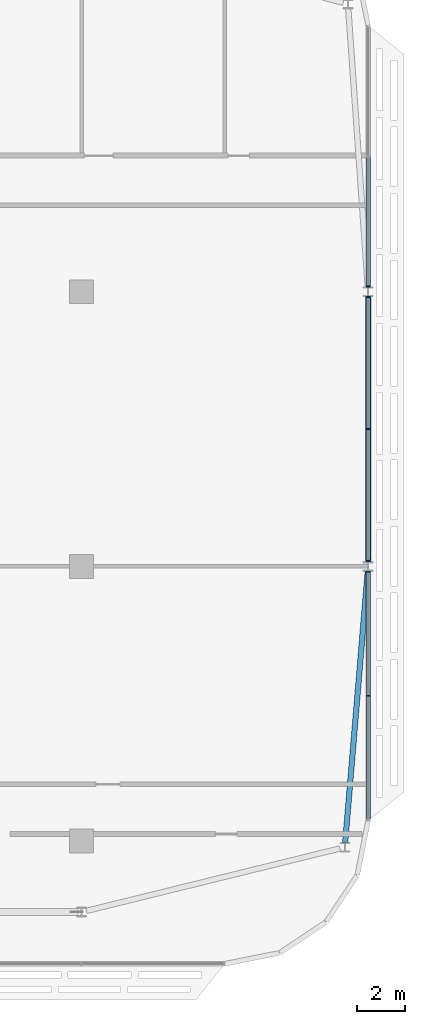
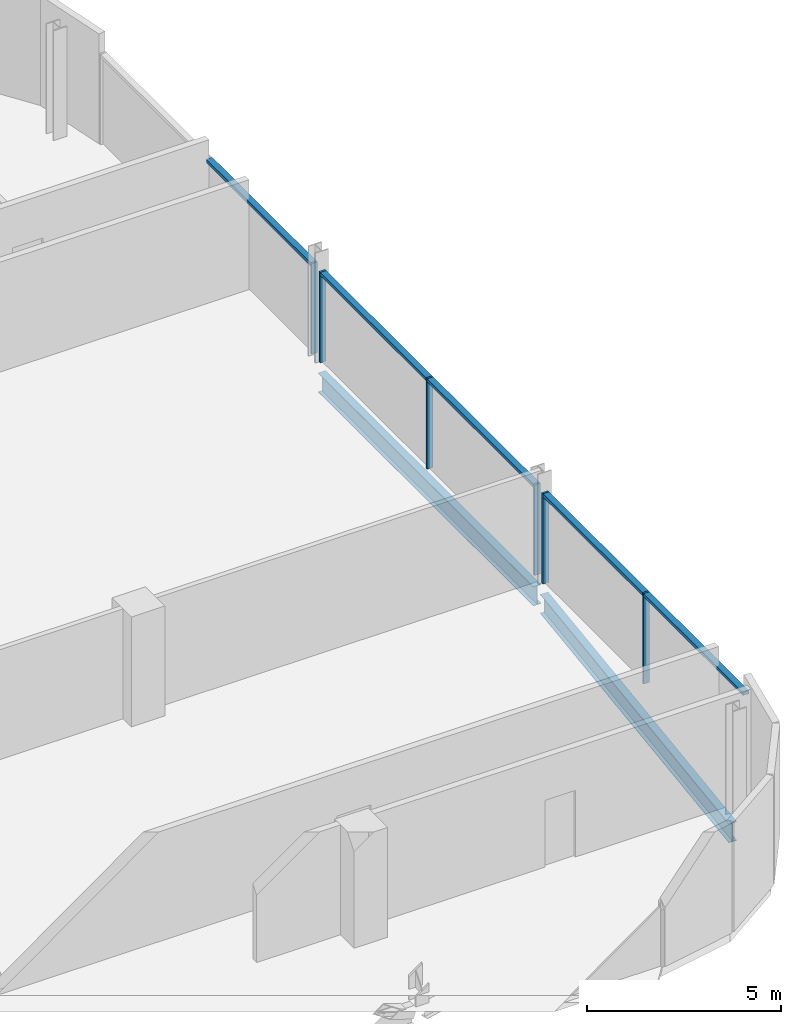
# One storey, part 13 of 32: 11 members, 2 beams, 3 elements without a shape of their own.
"""IFC4 building model written with IfcOpenShell, lengths in metres."""

import ifcopenshell
import ifcopenshell.guid

model = None  # the IFC model being written
_history = None  # IfcOwnerHistory: only IFC2X3 demands one
_inside = {}  # id of a spatial element -> (the spatial element, [elements in it])
_under = {}  # id of a project, library or spatial element -> (it, [spatial elements below it])
_declared = {}  # id of a project -> (the project, [libraries it declares])
_typed = {}  # id of a type object -> (the type object, [elements of that type])
_made_of = {}  # id of a material, layer set ... -> (it, [elements and type objects made of it])


def new_model(schema):
    """Start an empty IFC model of exactly this schema.

    Asked for "IFC4X3", IfcOpenShell would pick the latest addendum, in which some entities
    have other attributes; the version numbers below select the first issue.
    IFC2X3 requires an IfcOwnerHistory on every rooted entity: one is made here for all.
    """
    global model, _history
    if schema == "IFC4X3":
        model = ifcopenshell.file(schema_version=(4, 3, 0, 0))
    else:
        model = ifcopenshell.file(schema=schema)
    _inside.clear()
    _under.clear()
    _declared.clear()
    _typed.clear()
    _made_of.clear()
    _history = None
    if model.schema == "IFC2X3":
        org = make("IfcOrganization", Name="unknown")
        user = make(
            "IfcPersonAndOrganization",
            ThePerson=make("IfcPerson", FamilyName="unknown"),
            TheOrganization=org,
        )
        app = make(
            "IfcApplication",
            ApplicationDeveloper=org,
            Version="unknown",
            ApplicationFullName="unknown",
            ApplicationIdentifier="unknown",
        )
        _history = make(
            "IfcOwnerHistory",
            OwningUser=user,
            OwningApplication=app,
            ChangeAction="ADDED",
            CreationDate=0,
        )
    return model


def make(cls, **values):
    """One entity of the class cls with the attributes given. An attribute that is None is left unset."""
    return model.create_entity(
        cls, **{name: value for name, value in values.items() if value is not None}
    )


def rooted(cls, **values):
    """An entity with a GlobalId (a new one), such as an element, a storey or a relation."""
    return make(cls, GlobalId=ifcopenshell.guid.new(), OwnerHistory=_history, **values)


def si_unit(unit_type, name, prefix=None):
    """IfcSIUnit, for example si_unit("LENGTHUNIT", "METRE", prefix="MILLI")."""
    return make("IfcSIUnit", UnitType=unit_type, Prefix=prefix, Name=name)


def assignment(units):
    """IfcUnitAssignment: the units of a project."""
    return None if units is None else make("IfcUnitAssignment", Units=units)


def point(xyz):
    """IfcCartesianPoint."""
    return None if xyz is None else make("IfcCartesianPoint", Coordinates=xyz)


def direction(xyz):
    """IfcDirection."""
    return None if xyz is None else make("IfcDirection", DirectionRatios=xyz)


def frame(location, z_axis=None, x_axis=None):
    """IfcAxis2Placement3D, a coordinate frame: its origin and axes. An axis left out is left unset."""
    return make(
        "IfcAxis2Placement3D",
        Location=point(location),
        Axis=direction(z_axis),
        RefDirection=direction(x_axis),
    )


def frame_2d(location, x_axis=None):
    """IfcAxis2Placement2D, a coordinate frame in the plane: its origin and x axis."""
    return make(
        "IfcAxis2Placement2D", Location=point(location), RefDirection=direction(x_axis)
    )


def origin():
    """The frame at (0, 0, 0) with its axes left unset."""
    return frame((0.0, 0.0, 0.0))


def origin_2d():
    """The frame at (0, 0) in the plane with its x axis left unset."""
    return frame_2d((0.0, 0.0))


def place(relative_to, where):
    """IfcLocalPlacement: puts the frame where relative to a parent placement (None: the world)."""
    return make(
        "IfcLocalPlacement", PlacementRelTo=relative_to, RelativePlacement=where
    )


def context(
    kind, dimensions, precision=None, world=None, true_north=None, identifier=None
):
    """IfcGeometricRepresentationContext, for example the 3D "Model" context."""
    return make(
        "IfcGeometricRepresentationContext",
        ContextIdentifier=identifier,
        ContextType=kind,
        CoordinateSpaceDimension=dimensions,
        Precision=precision,
        WorldCoordinateSystem=world,
        TrueNorth=true_north,
    )


def subcontext(parent, identifier, kind, view, scale=None):
    """IfcGeometricRepresentationSubContext, for example "Body" below "Model"."""
    return make(
        "IfcGeometricRepresentationSubContext",
        ContextIdentifier=identifier,
        ContextType=kind,
        ParentContext=parent,
        TargetScale=scale,
        TargetView=view,
    )


def project(units=None, contexts=None):
    """IfcProject with its units and contexts."""
    return rooted(
        "IfcProject",
        Name="project",
        RepresentationContexts=contexts,
        UnitsInContext=assignment(units),
    )


def spatial(cls, under=None, at=None, **own):
    """A site, building, storey or space (cls), placed at a placement, below another one or the project."""
    s = rooted(cls, ObjectPlacement=at, **own)
    if under is not None:
        _under.setdefault(under.id(), (under, []))[1].append(s)
    return s


def profile(cls, at=None, kind="AREA", **sizes):
    """A parametric profile (cls). Its sizes go by their IFC names, for example OverallWidth=200.0."""
    return make(cls, ProfileType=kind, Position=at, **sizes)


def rectangle(**sizes):
    """IfcRectangleProfileDef."""
    return profile("IfcRectangleProfileDef", **sizes)


def i_section(**sizes):
    """IfcIShapeProfileDef."""
    return profile("IfcIShapeProfileDef", **sizes)


def extrude(swept, where, along, depth):
    """IfcExtrudedAreaSolid: the profile swept, set in the frame where, extruded along a direction by depth."""
    return make(
        "IfcExtrudedAreaSolid",
        SweptArea=swept,
        Position=where,
        ExtrudedDirection=direction(along),
        Depth=depth,
    )


def shape(context_of_items, identifier, shape_type, items):
    """IfcShapeRepresentation: the items that make up one representation, for example the "Body"."""
    return make(
        "IfcShapeRepresentation",
        ContextOfItems=context_of_items,
        RepresentationIdentifier=identifier,
        RepresentationType=shape_type,
        Items=items,
    )


def material(Name=None, Category=None):
    """IfcMaterial."""
    return make("IfcMaterial", Name=Name, Category=Category)


def material_profile(
    of_material, cross_section, Name=None, Category=None, Priority=None
):
    """IfcMaterialProfile: a cross section and its material."""
    return make(
        "IfcMaterialProfile",
        Name=Name,
        Material=of_material,
        Profile=cross_section,
        Priority=Priority,
        Category=Category,
    )


def profile_set(profiles, Name=None, composite=None):
    """IfcMaterialProfileSet."""
    return make(
        "IfcMaterialProfileSet",
        Name=Name,
        MaterialProfiles=profiles,
        CompositeProfile=composite,
    )


def made_of(thing, what):
    """Note that an element or type object is made of a material, layer set ...; save() writes the relation."""
    if what is not None:
        _made_of.setdefault(what.id(), (what, []))[1].append(thing)
    return thing


def type_object(cls, material=None, **own):
    """A type object (cls), such as IfcWallType, which elements share."""
    return made_of(rooted(cls, **own), material)


def element(
    cls,
    number,
    at=None,
    inside=None,
    cuts=None,
    type_object=None,
    material=None,
    context=None,
    identifier="Body",
    shape_type=None,
    held_by="IfcProductDefinitionShape",
    body=None,
    shapes=None,
    **own,
):
    """One element of the class cls, such as IfcWall. Its Tag is "e" and its number.

    at: its placement. inside: the storey or other place that contains it. cuts: it is an
    opening in that element (IfcRelVoidsElement). A single representation is given by context,
    identifier, shape_type and body (its items); several are given by shapes. held_by: the class
    of the entity that holds the representations. save() writes the other relations.
    """
    e = rooted(cls, Tag="e%d" % number, ObjectPlacement=at, **own)
    if body is not None:
        shapes = [shape(context, identifier, shape_type, body)]
    if shapes is not None:
        e.Representation = make(held_by, Representations=shapes)
    if inside is not None:
        _inside.setdefault(inside.id(), (inside, []))[1].append(e)
    if cuts is not None:
        rooted(
            "IfcRelVoidsElement", RelatingBuildingElement=cuts, RelatedOpeningElement=e
        )
    if type_object is not None:
        _typed.setdefault(type_object.id(), (type_object, []))[1].append(e)
    return made_of(e, material)


def aggregate(whole, parts):
    """IfcRelAggregates: a whole, such as a stair, and the parts it consists of."""
    return rooted("IfcRelAggregates", RelatingObject=whole, RelatedObjects=parts)


def save(model, path):
    """Write the relations noted so far, then the file.

    IfcRelAggregates (storeys below a building ...), IfcRelContainedInSpatialStructure (elements
    in a storey), IfcRelDefinesByType, IfcRelAssociatesMaterial and IfcRelDeclares: one each for
    every whole, place, type object, material and project.
    """
    for whole, parts in _under.values():
        aggregate(whole, parts)
    for where, things in _inside.values():
        rooted(
            "IfcRelContainedInSpatialStructure",
            RelatedElements=things,
            RelatingStructure=where,
        )
    for kind, things in _typed.values():
        rooted("IfcRelDefinesByType", RelatedObjects=things, RelatingType=kind)
    for what, things in _made_of.values():
        rooted("IfcRelAssociatesMaterial", RelatedObjects=things, RelatingMaterial=what)
    for by, libraries in _declared.values():
        rooted("IfcRelDeclares", RelatingContext=by, RelatedDefinitions=libraries)
    model.write(path)


model = new_model("IFC4")

# Units and contexts
model_context = context("Model", 3, precision=1e-05, world=origin(), true_north=direction((0.0, 1.0)))
body_context = subcontext(model_context, "Body", "Model", "MODEL_VIEW")
ifc_project = project(units=[si_unit("LENGTHUNIT", "METRE"), si_unit("AREAUNIT", "SQUARE_METRE"), si_unit("VOLUMEUNIT", "CUBIC_METRE"), si_unit("PLANEANGLEUNIT", "RADIAN"), si_unit("MASSUNIT", "GRAM", prefix="KILO")], contexts=[model_context])

# Site, building, storey
site_placement = place(None, origin())
site = spatial("IfcSite", under=ifc_project, at=site_placement, CompositionType="ELEMENT")
building_placement = place(site_placement, origin())
building = spatial("IfcBuilding", under=site, at=building_placement, Name="Mahtab Terrace Research Tower", CompositionType="ELEMENT")
storey_placement = place(building_placement, frame((0.0, 0.0, 232.39990234375)))
storey = spatial("IfcBuildingStorey", under=building, at=storey_placement, Name="L56", CompositionType="ELEMENT", Elevation=232.39990234375)

# Curtain wall, members
ifc_material_1 = material(Name="Office ribbon curtain wall")
curtain_wall_type = type_object("IfcCurtainWallType", Name="Office ribbon curtain wall", PredefinedType="NOTDEFINED", material=ifc_material_1)
curtain_wall_1_placement = place(storey_placement, origin())
curtain_wall_1 = element("IfcCurtainWall", 1, at=curtain_wall_1_placement, inside=storey, type_object=curtain_wall_type, Name="EN.L56.18.21", PredefinedType="NOTDEFINED")
ifc_material_2 = material(Name="Natural anodised aluminium", Category="aluminium")
ifc_material_profile_1 = material_profile(ifc_material_2, rectangle(XDim=0.179931640625, YDim=0.06005859375, at=origin_2d()), Name="MULLION 60x180")
ifc_profile_set_1 = profile_set([ifc_material_profile_1], Name="Natural anodised aluminium")
member_type_1 = type_object("IfcMemberType", Name="Office ribbon curtain wall mullion", PredefinedType="MULLION", material=ifc_profile_set_1)
member_1_placement = place(storey_placement, frame((54.0, -5.416015625, 0.0), z_axis=(0.0, 0.0, 1.0), x_axis=(-1.0, 0.0, 0.0)))
member_1 = element("IfcMember", 2, at=member_1_placement, type_object=member_type_1, Name="CWO-7 mullion 2", PredefinedType="MULLION", context=body_context, shape_type="SweptSolid", body=[
    extrude(rectangle(XDim=0.179931640625, YDim=0.06005859375, at=origin_2d()), origin(), (0.0, 0.0, 1.0), 2.85302734375),
])
member_2_placement = place(storey_placement, frame((54.0, -0.222900390625, 0.0), z_axis=(0.0, 0.0, 1.0), x_axis=(-1.0, 0.0, 0.0)))
member_2 = element("IfcMember", 3, at=member_2_placement, type_object=member_type_1, Name="CWO-7 mullion 3", PredefinedType="MULLION", context=body_context, shape_type="SweptSolid", body=[
    extrude(rectangle(XDim=0.179931640625, YDim=0.06005859375, at=origin_2d()), origin(), (0.0, 0.0, 1.0), 2.85302734375),
])

curtain_wall_2_placement = place(storey_placement, origin())
curtain_wall_2 = element("IfcCurtainWall", 4, at=curtain_wall_2_placement, inside=storey, type_object=curtain_wall_type, Name="EN.L56.18.22", PredefinedType="NOTDEFINED")
member_3_placement = place(storey_placement, frame((54.0, 0.222900390625, 0.0), z_axis=(0.0, 0.0, 1.0), x_axis=(-1.0, 0.0, 0.0)))
member_3 = element("IfcMember", 5, at=member_3_placement, type_object=member_type_1, Name="CWO-7 mullion 1", PredefinedType="MULLION", context=body_context, shape_type="SweptSolid", body=[
    extrude(rectangle(XDim=0.179931640625, YDim=0.06005859375, at=origin_2d()), origin(), (0.0, 0.0, 1.0), 2.85302734375),
])
member_4_placement = place(storey_placement, frame((54.0, 5.75, 0.0), z_axis=(0.0, 0.0, 1.0), x_axis=(-1.0, 0.0, 0.0)))
member_4 = element("IfcMember", 6, at=member_4_placement, type_object=member_type_1, Name="CWO-7 mullion 2", PredefinedType="MULLION", context=body_context, shape_type="SweptSolid", body=[
    extrude(rectangle(XDim=0.179931640625, YDim=0.06005859375, at=origin_2d()), origin(), (0.0, 0.0, 1.0), 2.85302734375),
])
member_5_placement = place(storey_placement, frame((54.0, 11.277099609375, 0.0), z_axis=(0.0, 0.0, 1.0), x_axis=(-1.0, 0.0, 0.0)))
member_5 = element("IfcMember", 7, at=member_5_placement, type_object=member_type_1, Name="CWO-7 mullion 3", PredefinedType="MULLION", context=body_context, shape_type="SweptSolid", body=[
    extrude(rectangle(XDim=0.179931640625, YDim=0.06005859375, at=origin_2d()), origin(), (0.0, 0.0, 1.0), 2.85302734375),
])

# Curtain wall, member
curtain_wall_3_placement = place(storey_placement, origin())
curtain_wall_3 = element("IfcCurtainWall", 8, at=curtain_wall_3_placement, inside=storey, type_object=curtain_wall_type, Name="EN.L56.18.23", PredefinedType="NOTDEFINED")
member_6_placement = place(storey_placement, frame((54.0, 11.722900390625, 0.0), z_axis=(0.0, 0.0, 1.0), x_axis=(-1.0, 0.0, 0.0)))
member_6 = element("IfcMember", 9, at=member_6_placement, type_object=member_type_1, Name="CWO-7 mullion 1", PredefinedType="MULLION", context=body_context, shape_type="SweptSolid", body=[
    extrude(rectangle(XDim=0.179931640625, YDim=0.06005859375, at=origin_2d()), origin(), (0.0, 0.0, 1.0), 2.85302734375),
])

# Member
ifc_material_profile_2 = material_profile(ifc_material_2, rectangle(XDim=0.179931640625, YDim=0.10009765625, at=origin_2d()), Name="TRANSOM 100x180")
ifc_profile_set_2 = profile_set([ifc_material_profile_2], Name="Natural anodised aluminium")
member_type_2 = type_object("IfcMemberType", Name="Office ribbon curtain wall transom", PredefinedType="USERDEFINED", material=ifc_profile_set_2)
member_7_placement = place(storey_placement, frame((54.0, -10.5791015625, 2.802978515625), z_axis=(0.0, 1.0, 0.0), x_axis=(-1.0, 0.0, 0.0)))
member_7 = element("IfcMember", 10, at=member_7_placement, type_object=member_type_2, Name="CWO-7 transom 1", ObjectType="TRANSOM", PredefinedType="USERDEFINED", context=body_context, shape_type="SweptSolid", body=[
    extrude(rectangle(XDim=0.179931640625, YDim=0.10009765625, at=origin_2d()), origin(), (0.0, 0.0, 1.0), 5.133056640625),
])

member_8_placement = place(storey_placement, frame((54.0, -5.385986328125, 2.802978515625), z_axis=(0.0, 1.0, 0.0), x_axis=(-1.0, 0.0, 0.0)))
member_8 = element("IfcMember", 11, at=member_8_placement, type_object=member_type_2, Name="CWO-7 transom 2", ObjectType="TRANSOM", PredefinedType="USERDEFINED", context=body_context, shape_type="SweptSolid", body=[
    extrude(rectangle(XDim=0.179931640625, YDim=0.10009765625, at=origin_2d()), origin(), (0.0, 0.0, 1.0), 5.133056640625),
])

aggregate(curtain_wall_1, [member_1, member_2, member_7, member_8])

member_9_placement = place(storey_placement, frame((54.0, 0.2529296875, 2.802978515625), z_axis=(0.0, 1.0, 0.0), x_axis=(-1.0, 0.0, 0.0)))
member_9 = element("IfcMember", 12, at=member_9_placement, type_object=member_type_2, Name="CWO-7 transom 1", ObjectType="TRANSOM", PredefinedType="USERDEFINED", context=body_context, shape_type="SweptSolid", body=[
    extrude(rectangle(XDim=0.179931640625, YDim=0.10009765625, at=origin_2d()), origin(), (0.0, 0.0, 1.0), 5.467041015625),
])

member_10_placement = place(storey_placement, frame((54.0, 5.780029296875, 2.802978515625), z_axis=(0.0, 1.0, 0.0), x_axis=(-1.0, 0.0, 0.0)))
member_10 = element("IfcMember", 13, at=member_10_placement, type_object=member_type_2, Name="CWO-7 transom 2", ObjectType="TRANSOM", PredefinedType="USERDEFINED", context=body_context, shape_type="SweptSolid", body=[
    extrude(rectangle(XDim=0.179931640625, YDim=0.10009765625, at=origin_2d()), origin(), (0.0, 0.0, 1.0), 5.467041015625),
])

aggregate(curtain_wall_2, [member_3, member_4, member_5, member_9, member_10])

member_11_placement = place(storey_placement, frame((54.0, 11.7529296875, 2.802978515625), z_axis=(0.0, 1.0, 0.0), x_axis=(-1.0, 0.0, 0.0)))
member_11 = element("IfcMember", 14, at=member_11_placement, type_object=member_type_2, Name="CWO-7 transom 1", ObjectType="TRANSOM", PredefinedType="USERDEFINED", context=body_context, shape_type="SweptSolid", body=[
    extrude(rectangle(XDim=0.179931640625, YDim=0.10009765625, at=origin_2d()), origin(), (0.0, 0.0, 1.0), 5.383056640625),
])

aggregate(curtain_wall_3, [member_6, member_11])

# Beams
ifc_material_3 = material(Name="Steel ASTM A992 Gr 50", Category="steel")
ifc_material_profile_3 = material_profile(ifc_material_3, i_section(OverallWidth=0.228271484375, OverallDepth=0.607177734375, WebThickness=0.01123046875, FlangeThickness=0.017333984375, at=origin_2d()), Name="W24X76")
ifc_profile_set_3 = profile_set([ifc_material_profile_3], Name="Steel ASTM A992 Gr 50")
beam_type = type_object("IfcBeamType", Name="W24x76 beam BS2476", PredefinedType="BEAM", material=ifc_profile_set_3)
beam_1_placement = place(storey_placement, frame((53.037109375, -11.56494140625, -0.6435546875), z_axis=(0.08296934335, 0.996552100025, 0.0), x_axis=(-0.996552100025, 0.08296934335, 0.0)))
element("IfcBeam", 15, at=beam_1_placement, inside=storey, type_object=beam_type, Name="Spandrel beam L56 20", PredefinedType="BEAM", context=body_context, shape_type="SweptSolid", body=[
    extrude(i_section(OverallWidth=0.228271484375, OverallDepth=0.607177734375, WebThickness=0.01123046875, FlangeThickness=0.017333984375, at=origin_2d()), origin(), (0.0, 0.0, 1.0), 11.4111328125),
])
beam_2_placement = place(storey_placement, frame((54.0, 0.193115234375, -0.6435546875), z_axis=(0.0, 1.0, 0.0), x_axis=(-1.0, 0.0, 0.0)))
element("IfcBeam", 16, at=beam_2_placement, inside=storey, type_object=beam_type, Name="Spandrel beam L56 21", PredefinedType="BEAM", context=body_context, shape_type="SweptSolid", body=[
    extrude(i_section(OverallWidth=0.228271484375, OverallDepth=0.607177734375, WebThickness=0.01123046875, FlangeThickness=0.017333984375, at=origin_2d()), origin(), (0.0, 0.0, 1.0), 11.11376953125),
])

save(model, "model.ifc")
